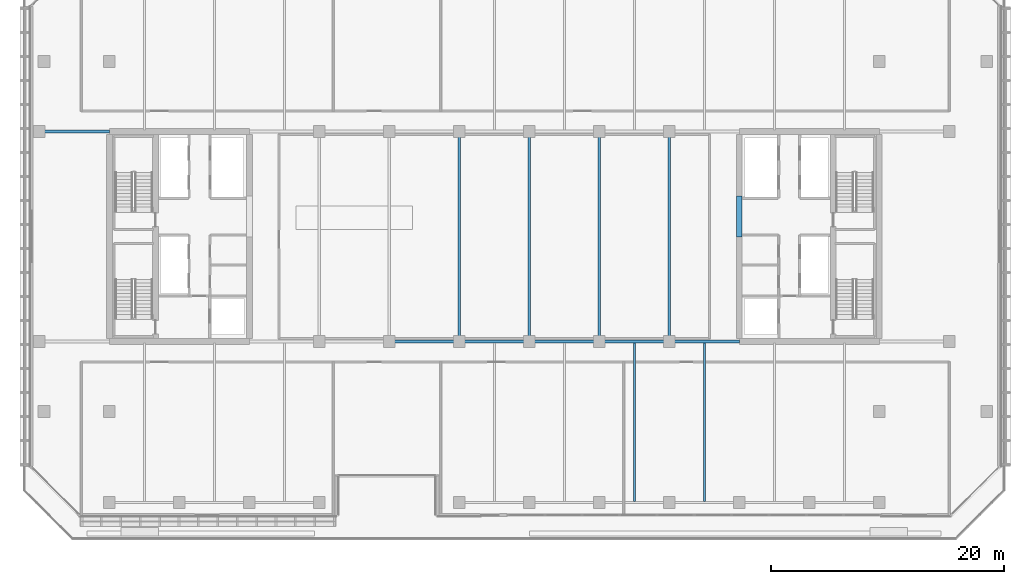
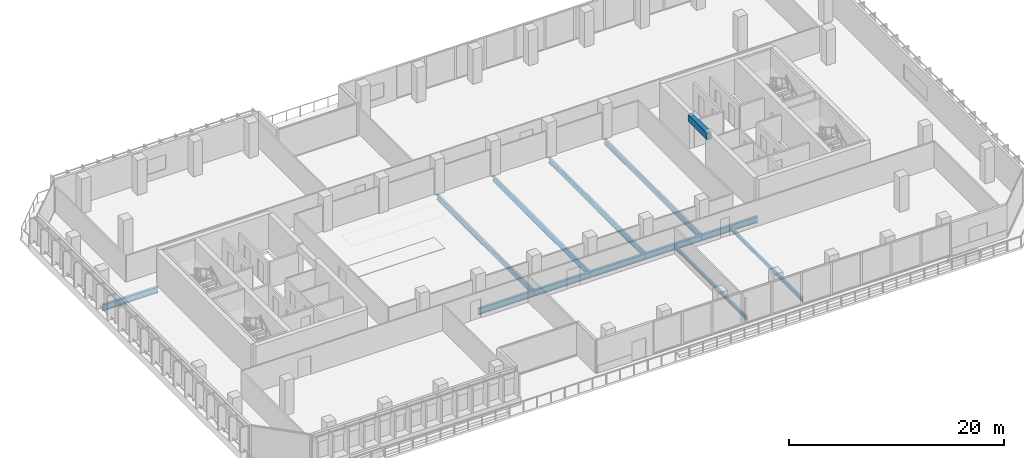
# One storey, part 9 of 38: 13 beams.
"""IFC4 building model written with IfcOpenShell, lengths in metres."""

from ifc_helpers import new_model, si_unit, direction, frame, origin, origin_2d, place, context, subcontext, project, spatial, rectangle, i_section, extrude, material, material_profile, profile_set, type_object, element, save


model = new_model("IFC4")

# Units and contexts
model_context = context("Model", 3, precision=1e-05, world=origin(), true_north=direction((0.0, 1.0)))
body_context = subcontext(model_context, "Body", "Model", "MODEL_VIEW")
ifc_project = project(units=[si_unit("LENGTHUNIT", "METRE"), si_unit("AREAUNIT", "SQUARE_METRE"), si_unit("VOLUMEUNIT", "CUBIC_METRE"), si_unit("PLANEANGLEUNIT", "RADIAN"), si_unit("MASSUNIT", "GRAM", prefix="KILO")], contexts=[model_context])

# Site, building, storey
site_placement = place(None, origin())
site = spatial("IfcSite", under=ifc_project, at=site_placement, CompositionType="ELEMENT")
building_placement = place(site_placement, origin())
building = spatial("IfcBuilding", under=site, at=building_placement, Name="Tanjung Sevakor Pilgrim Tower", CompositionType="ELEMENT")
storey_placement = place(building_placement, frame((0.0, 0.0, 78.2099609375)))
storey = spatial("IfcBuildingStorey", under=building, at=storey_placement, Name="L21", CompositionType="ELEMENT", Elevation=78.2099609375)

# Beams
ifc_material_1 = material(Name="Steel S355J2", Category="steel")
ifc_material_profile_1 = material_profile(ifc_material_1, i_section(OverallWidth=0.25439453125, OverallDepth=0.6875, WebThickness=0.01318359375, FlangeThickness=0.02099609375, FilletRadius=0.01513671875, at=origin_2d()))
ifc_profile_set_1 = profile_set([ifc_material_profile_1], Name="Steel S355J2")
beam_type_1 = type_object("IfcBeamType", Name="BM-B-G2-UB_686x254x152", PredefinedType="BEAM", material=ifc_profile_set_1)
for number, where, z_axis, x_axis, name in (
    (1, (48.0, 24.60009765625, -0.623779296875), (1.0, 0.0, 0.0), (0.0, 1.0, 0.0), "L21 Primary Floor Girder MAIN Y246-04"),
    (2, (54.0, 24.60009765625, -0.623779296875), (1.0, 0.0, 0.0), (0.0, 1.0, 0.0), "L21 Primary Floor Girder MAIN Y246-05"),
    (3, (60.0, 24.60009765625, -0.623779296875), (1.0, 0.0, 0.0), (0.0, 1.0, 0.0), "L21 Primary Floor Girder MAIN Y246-06"),
    (4, (66.0, 24.60009765625, -0.623779296875), (1.0, 0.0, 0.0), (0.0, 1.0, 0.0), "L21 Primary Floor Girder MAIN Y246-07"),
    (5, (72.0, 24.60009765625, -0.623779296875), (1.0, 0.0, 0.0), (0.0, 1.0, 0.0), "L21 Primary Floor Girder MAIN Y246-08"),
    (6, (18.0, 42.60009765625, -0.623779296875), (1.0, 0.0, 0.0), (0.0, 1.0, 0.0), "L21 Primary Floor Girder MAIN Y426-01"),
):
    element("IfcBeam", number, at=place(storey_placement, frame(where, z_axis=z_axis, x_axis=x_axis)), inside=storey, type_object=beam_type_1, Name=name, PredefinedType="BEAM", context=body_context, shape_type="SweptSolid", body=[
        extrude(i_section(OverallWidth=0.25439453125, OverallDepth=0.6875, WebThickness=0.01318359375, FlangeThickness=0.02099609375, FilletRadius=0.01513671875, at=origin_2d()), origin(), (0.0, 0.0, 1.0), 6.0),
    ])
ifc_material_2 = material(Name="Steel S355J2", Category="steel")
ifc_material_profile_2 = material_profile(ifc_material_2, i_section(OverallWidth=0.230224609375, OverallDepth=0.6171875, WebThickness=0.01318359375, FlangeThickness=0.022216796875, FilletRadius=0.0126953125, at=origin_2d()))
ifc_profile_set_2 = profile_set([ifc_material_profile_2], Name="Steel S355J2")
beam_type_2 = type_object("IfcBeamType", Name="BM-B-G3-UB_610x229x140", PredefinedType="BEAM", material=ifc_profile_set_2)
for number, where, z_axis, x_axis, name in (
    (7, (54.0, 24.60009765625, -0.588623046875), (0.0, 1.0, 0.0), (-1.0, 0.0, 0.0), "L21 MAIN Girder 009"),
    (8, (60.0, 24.60009765625, -0.588623046875), (0.0, 1.0, 0.0), (-1.0, 0.0, 0.0), "L21 MAIN Girder 012"),
    (9, (66.0, 24.60009765625, -0.588623046875), (0.0, 1.0, 0.0), (-1.0, 0.0, 0.0), "L21 MAIN Girder 015"),
    (10, (72.0, 24.60009765625, -0.588623046875), (0.0, 1.0, 0.0), (-1.0, 0.0, 0.0), "L21 MAIN Girder 018"),
):
    element("IfcBeam", number, at=place(storey_placement, frame(where, z_axis=z_axis, x_axis=x_axis)), inside=storey, type_object=beam_type_2, Name=name, PredefinedType="BEAM", context=body_context, shape_type="SweptSolid", body=[
        extrude(i_section(OverallWidth=0.230224609375, OverallDepth=0.6171875, WebThickness=0.01318359375, FlangeThickness=0.022216796875, FilletRadius=0.0126953125, at=origin_2d()), origin(), (0.0, 0.0, 1.0), 18.0),
    ])
ifc_material_3 = material(Name="Steel S355J2", Category="steel")
ifc_material_profile_3 = material_profile(ifc_material_3, i_section(OverallWidth=0.1787109375, OverallDepth=0.409423828125, WebThickness=0.0087890625, FlangeThickness=0.014404296875, FilletRadius=0.01025390625, at=origin_2d()))
ifc_profile_set_3 = profile_set([ifc_material_profile_3], Name="Steel S355J2")
beam_type_3 = type_object("IfcBeamType", Name="BM-B-J3-UB_406x178x67", PredefinedType="JOIST", material=ifc_profile_set_3)
for number, where, z_axis, x_axis, name in (
    (11, (69.0, 10.89990234375, -0.484619140625), (0.0, 1.0, 0.0), (-1.0, 0.0, 0.0), "L21 MAIN Joist 016"),
    (12, (75.0, 10.89990234375, -0.484619140625), (0.0, 1.0, 0.0), (-1.0, 0.0, 0.0), "L21 MAIN Joist 019"),
):
    element("IfcBeam", number, at=place(storey_placement, frame(where, z_axis=z_axis, x_axis=x_axis)), inside=storey, type_object=beam_type_3, Name=name, PredefinedType="JOIST", context=body_context, shape_type="SweptSolid", body=[
        extrude(i_section(OverallWidth=0.1787109375, OverallDepth=0.409423828125, WebThickness=0.0087890625, FlangeThickness=0.014404296875, FilletRadius=0.01025390625, at=origin_2d()), origin(), (0.0, 0.0, 1.0), 13.57275390625),
    ])
ifc_material_4 = material(Name="Concrete C60/75", Category="concrete")
ifc_material_profile_4 = material_profile(ifc_material_4, rectangle(XDim=0.5, YDim=0.800048828125, at=origin_2d()))
ifc_profile_set_4 = profile_set([ifc_material_profile_4], Name="Concrete C60/75")
beam_type_4 = type_object("IfcBeamType", Name="BM-B-LN2-RC-BM_500x800", PredefinedType="LINTEL", material=ifc_profile_set_4)
beam_placement = place(storey_placement, frame((78.0, 33.550048828125, 3.340087890625), z_axis=(0.0, 1.0, 0.0), x_axis=(-1.0, 0.0, 0.0)))
element("IfcBeam", 13, at=beam_placement, inside=storey, type_object=beam_type_4, Name="L21 E Core Coupling Lintel", PredefinedType="LINTEL", context=body_context, shape_type="SweptSolid", body=[
    extrude(rectangle(XDim=0.5, YDim=0.800048828125, at=origin_2d()), origin(), (0.0, 0.0, 1.0), 3.5),
])

save(model, "model.ifc")
